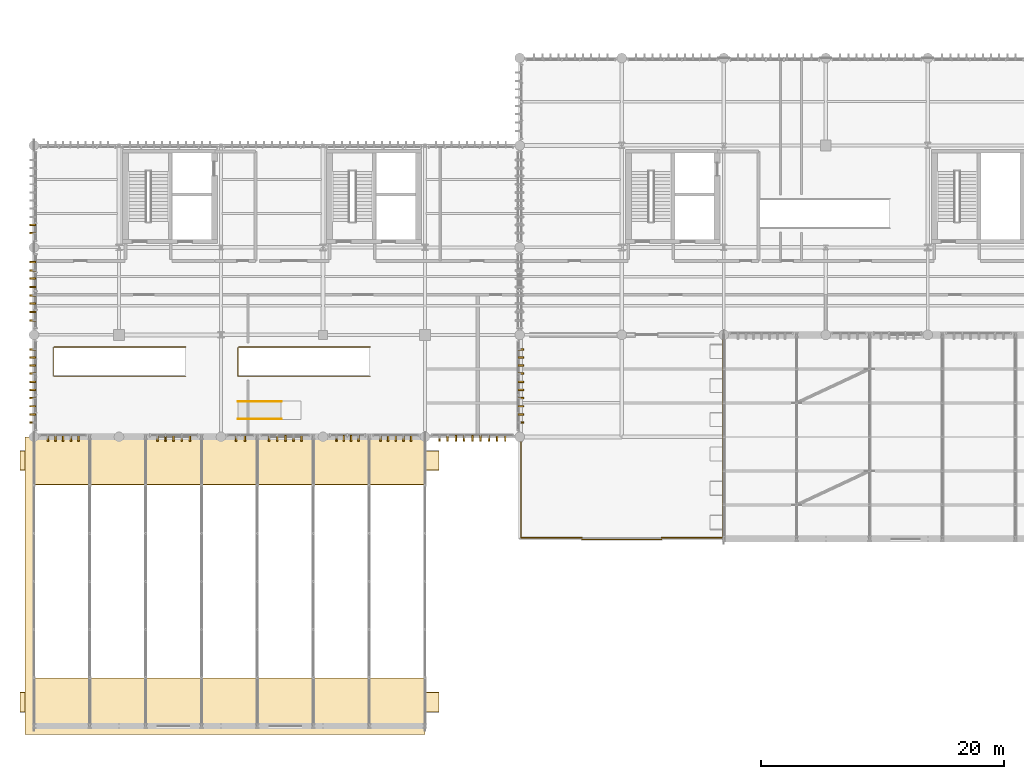
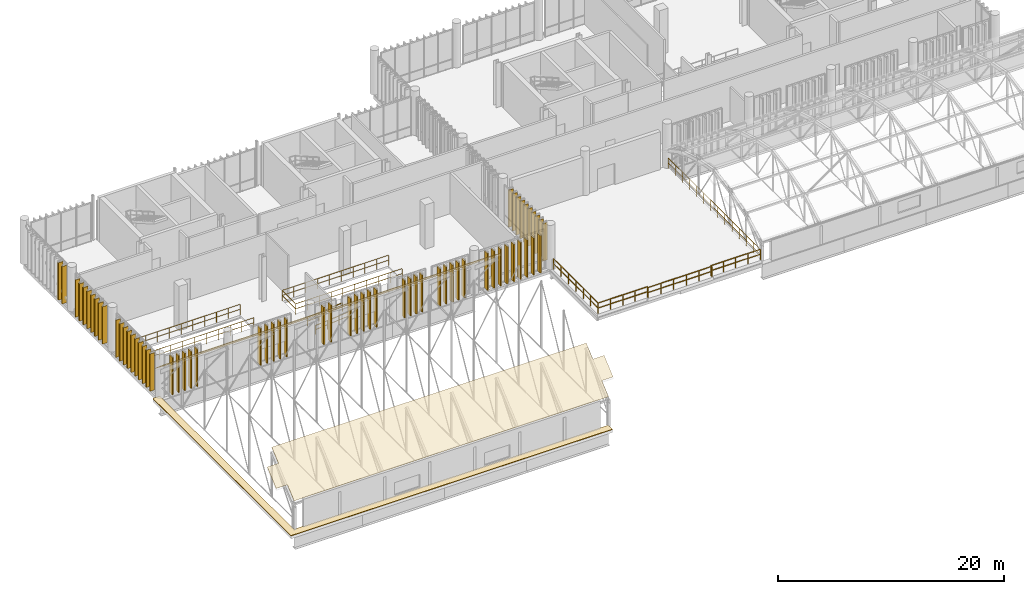
# One storey, part 101 of 109: 68 coverings, 9 railings, 2 elements without a shape of their own.
"""IFC4 building model written with IfcOpenShell, lengths in metres."""

from ifc_helpers import new_model, si_unit, direction, frame, frame_2d, origin_with_axes, origin_2d_with_axis, place, context, subcontext, project, spatial, polyline, rectangle, circle, outline, extrude, material, type_object, element, aggregate, save


model = new_model("IFC4")

# Units and contexts
model_context = context("Model", 3, precision=1e-05, world=origin_with_axes(), true_north=direction((0.0, 1.0)))
body_context = subcontext(model_context, "Body", "Model", "MODEL_VIEW")
ifc_project = project(units=[si_unit("LENGTHUNIT", "METRE"), si_unit("AREAUNIT", "SQUARE_METRE"), si_unit("VOLUMEUNIT", "CUBIC_METRE"), si_unit("PLANEANGLEUNIT", "RADIAN"), si_unit("MASSUNIT", "GRAM", prefix="KILO"), si_unit("THERMODYNAMICTEMPERATUREUNIT", "KELVIN")], contexts=[model_context])

# Site, building, storey
site_placement = place(None, origin_with_axes())
site = spatial("IfcSite", under=ifc_project, at=site_placement, CompositionType="ELEMENT")
building_placement = place(site_placement, origin_with_axes())
building = spatial("IfcBuilding", under=site, at=building_placement, Name="Montbau Bow Law Courts", CompositionType="ELEMENT")
storey_placement = place(building_placement, frame((0.0, 0.0, 10.8), z_axis=(0.0, 0.0, 1.0), x_axis=(1.0, 0.0, 0.0)))
storey = spatial("IfcBuildingStorey", under=building, at=storey_placement, Name="L02", CompositionType="ELEMENT", Elevation=10.8)

# Coverings
ifc_material_1 = material(Name="Freeze-Thaw Glazed Terracotta-Red Ceramic Vertical Louvre", Category="masonry")
covering_type_1 = type_object("IfcCoveringType", Name="CV-LVR-RED", PredefinedType="CLADDING", material=ifc_material_1)
for number, where, z_axis, x_axis, name in (
    (1, (7.946, 30.73, 10.8), (-1.0, 0.0, 0.0), (0.0, -1.0, 0.0), "CLV-L02-0310:cov_0355"),
    (2, (8.578, 30.73, 10.8), (-1.0, 0.0, 0.0), (0.0, -1.0, 0.0), "CLV-L02-0311:cov_0356"),
    (3, (9.209, 30.73, 10.8), (-1.0, 0.0, 0.0), (0.0, -1.0, 0.0), "CLV-L02-0312:cov_0357"),
    (4, (9.841, 30.73, 10.8), (-1.0, 0.0, 0.0), (0.0, -1.0, 0.0), "CLV-L02-0313:cov_0358"),
    (5, (10.472, 30.73, 10.8), (-1.0, 0.0, 0.0), (0.0, -1.0, 0.0), "CLV-L02-0314:cov_0359"),
    (6, (16.964, 30.73, 10.8), (-1.0, 0.0, 0.0), (0.0, -1.0, 0.0), "CLV-L02-0315:cov_0360"),
    (7, (17.632, 30.73, 10.8), (-1.0, 0.0, 0.0), (0.0, -1.0, 0.0), "CLV-L02-0316:cov_0361"),
    (8, (18.3, 30.73, 10.8), (-1.0, 0.0, 0.0), (0.0, -1.0, 0.0), "CLV-L02-0317:cov_0362"),
    (9, (18.968, 30.73, 10.8), (-1.0, 0.0, 0.0), (0.0, -1.0, 0.0), "CLV-L02-0318:cov_0363"),
    (10, (19.636, 30.73, 10.8), (-1.0, 0.0, 0.0), (0.0, -1.0, 0.0), "CLV-L02-0319:cov_0364"),
    (11, (23.445, 30.73, 10.8), (-1.0, 0.0, 0.0), (0.0, -1.0, 0.0), "CLV-L02-0320:cov_0365"),
    (12, (24.174, 30.73, 10.8), (-1.0, 0.0, 0.0), (0.0, -1.0, 0.0), "CLV-L02-0321:cov_0366"),
    (13, (26.164, 30.73, 10.8), (-1.0, 0.0, 0.0), (0.0, -1.0, 0.0), "CLV-L02-0322:cov_0367"),
    (14, (26.832, 30.73, 10.8), (-1.0, 0.0, 0.0), (0.0, -1.0, 0.0), "CLV-L02-0323:cov_0368"),
    (15, (27.5, 30.73, 10.8), (-1.0, 0.0, 0.0), (0.0, -1.0, 0.0), "CLV-L02-0324:cov_0369"),
    (16, (28.168, 30.73, 10.8), (-1.0, 0.0, 0.0), (0.0, -1.0, 0.0), "CLV-L02-0325:cov_0370"),
    (17, (28.836, 30.73, 10.8), (-1.0, 0.0, 0.0), (0.0, -1.0, 0.0), "CLV-L02-0326:cov_0371"),
    (18, (31.713, 30.73, 10.8), (-1.0, 0.0, 0.0), (0.0, -1.0, 0.0), "CLV-L02-0327:cov_0372"),
    (19, (32.31, 30.73, 10.8), (-1.0, 0.0, 0.0), (0.0, -1.0, 0.0), "CLV-L02-0328:cov_0373"),
    (20, (32.908, 30.73, 10.8), (-1.0, 0.0, 0.0), (0.0, -1.0, 0.0), "CLV-L02-0329:cov_0374"),
    (21, (33.505, 30.73, 10.8), (-1.0, 0.0, 0.0), (0.0, -1.0, 0.0), "CLV-L02-0330:cov_0375"),
    (22, (35.328, 30.73, 10.8), (-1.0, 0.0, 0.0), (0.0, -1.0, 0.0), "CLV-L02-0331:cov_0376"),
    (23, (35.96, 30.73, 10.8), (-1.0, 0.0, 0.0), (0.0, -1.0, 0.0), "CLV-L02-0332:cov_0377"),
    (24, (36.591, 30.73, 10.8), (-1.0, 0.0, 0.0), (0.0, -1.0, 0.0), "CLV-L02-0333:cov_0378"),
    (25, (37.222, 30.73, 10.8), (-1.0, 0.0, 0.0), (0.0, -1.0, 0.0), "CLV-L02-0334:cov_0379"),
    (26, (37.854, 30.73, 10.8), (-1.0, 0.0, 0.0), (0.0, -1.0, 0.0), "CLV-L02-0335:cov_0380"),
    (27, (40.192, 30.73, 10.8), (-1.0, 0.0, 0.0), (0.0, -1.0, 0.0), "CLV-L02-0336:cov_0381"),
    (28, (40.869, 30.73, 10.8), (-1.0, 0.0, 0.0), (0.0, -1.0, 0.0), "CLV-L02-0337:cov_0382"),
    (29, (41.546, 30.73, 10.8), (-1.0, 0.0, 0.0), (0.0, -1.0, 0.0), "CLV-L02-0338:cov_0383"),
    (30, (42.223, 30.73, 10.8), (-1.0, 0.0, 0.0), (0.0, -1.0, 0.0), "CLV-L02-0339:cov_0384"),
    (31, (42.9, 30.73, 10.8), (-1.0, 0.0, 0.0), (0.0, -1.0, 0.0), "CLV-L02-0340:cov_0385"),
    (32, (43.577, 30.73, 10.8), (-1.0, 0.0, 0.0), (0.0, -1.0, 0.0), "CLV-L02-0341:cov_0386"),
    (33, (44.254, 30.73, 10.8), (-1.0, 0.0, 0.0), (0.0, -1.0, 0.0), "CLV-L02-0342:cov_0387"),
    (34, (44.931, 30.73, 10.8), (-1.0, 0.0, 0.0), (0.0, -1.0, 0.0), "CLV-L02-0343:cov_0388"),
    (35, (45.608, 30.73, 10.8), (-1.0, 0.0, 0.0), (0.0, -1.0, 0.0), "CLV-L02-0344:cov_0389"),
    (36, (6.93, 31.785, 10.8), (0.0, 1.0, 0.0), (-1.0, 0.0, 0.0), "CLV-L02-0397:cov_0442"),
    (37, (6.93, 32.455, 10.8), (0.0, 1.0, 0.0), (-1.0, 0.0, 0.0), "CLV-L02-0398:cov_0443"),
    (38, (6.93, 33.125, 10.8), (0.0, 1.0, 0.0), (-1.0, 0.0, 0.0), "CLV-L02-0399:cov_0444"),
    (39, (6.93, 33.795, 10.8), (0.0, 1.0, 0.0), (-1.0, 0.0, 0.0), "CLV-L02-0400:cov_0445"),
    (40, (6.93, 34.465, 10.8), (0.0, 1.0, 0.0), (-1.0, 0.0, 0.0), "CLV-L02-0401:cov_0446"),
    (41, (6.93, 35.135, 10.8), (0.0, 1.0, 0.0), (-1.0, 0.0, 0.0), "CLV-L02-0402:cov_0447"),
    (42, (6.93, 35.805, 10.8), (0.0, 1.0, 0.0), (-1.0, 0.0, 0.0), "CLV-L02-0403:cov_0448"),
    (43, (6.93, 36.475, 10.8), (0.0, 1.0, 0.0), (-1.0, 0.0, 0.0), "CLV-L02-0404:cov_0449"),
    (44, (6.93, 37.145, 10.8), (0.0, 1.0, 0.0), (-1.0, 0.0, 0.0), "CLV-L02-0405:cov_0450"),
    (45, (6.93, 37.815, 10.8), (0.0, 1.0, 0.0), (-1.0, 0.0, 0.0), "CLV-L02-0406:cov_0451"),
    (46, (6.93, 40.201, 10.8), (0.0, 1.0, 0.0), (-1.0, 0.0, 0.0), "CLV-L02-0407:cov_0452"),
    (47, (6.93, 40.886, 10.8), (0.0, 1.0, 0.0), (-1.0, 0.0, 0.0), "CLV-L02-0408:cov_0453"),
    (48, (6.93, 41.572, 10.8), (0.0, 1.0, 0.0), (-1.0, 0.0, 0.0), "CLV-L02-0409:cov_0454"),
    (49, (6.93, 42.257, 10.8), (0.0, 1.0, 0.0), (-1.0, 0.0, 0.0), "CLV-L02-0410:cov_0455"),
    (50, (6.93, 42.943, 10.8), (0.0, 1.0, 0.0), (-1.0, 0.0, 0.0), "CLV-L02-0411:cov_0456"),
    (51, (6.93, 43.628, 10.8), (0.0, 1.0, 0.0), (-1.0, 0.0, 0.0), "CLV-L02-0412:cov_0457"),
    (52, (6.93, 44.314, 10.8), (0.0, 1.0, 0.0), (-1.0, 0.0, 0.0), "CLV-L02-0413:cov_0458"),
    (53, (6.93, 44.999, 10.8), (0.0, 1.0, 0.0), (-1.0, 0.0, 0.0), "CLV-L02-0414:cov_0459"),
    (54, (6.93, 47.385, 10.8), (0.0, 1.0, 0.0), (-1.0, 0.0, 0.0), "CLV-L02-0415:cov_0460"),
    (55, (6.93, 48.055, 10.8), (0.0, 1.0, 0.0), (-1.0, 0.0, 0.0), "CLV-L02-0416:cov_0461"),
    (56, (46.67, 31.785, 10.8), (0.0, -1.0, 0.0), (1.0, 0.0, 0.0), "CLV-L02-0425:cov_0470"),
    (57, (46.67, 32.455, 10.8), (0.0, -1.0, 0.0), (1.0, 0.0, 0.0), "CLV-L02-0426:cov_0471"),
    (58, (46.67, 33.125, 10.8), (0.0, -1.0, 0.0), (1.0, 0.0, 0.0), "CLV-L02-0427:cov_0472"),
    (59, (46.67, 33.795, 10.8), (0.0, -1.0, 0.0), (1.0, 0.0, 0.0), "CLV-L02-0428:cov_0473"),
    (60, (46.67, 34.465, 10.8), (0.0, -1.0, 0.0), (1.0, 0.0, 0.0), "CLV-L02-0429:cov_0474"),
    (61, (46.67, 35.135, 10.8), (0.0, -1.0, 0.0), (1.0, 0.0, 0.0), "CLV-L02-0430:cov_0475"),
    (62, (46.67, 35.805, 10.8), (0.0, -1.0, 0.0), (1.0, 0.0, 0.0), "CLV-L02-0431:cov_0476"),
    (63, (46.67, 36.475, 10.8), (0.0, -1.0, 0.0), (1.0, 0.0, 0.0), "CLV-L02-0432:cov_0477"),
    (64, (46.67, 37.145, 10.8), (0.0, -1.0, 0.0), (1.0, 0.0, 0.0), "CLV-L02-0433:cov_0478"),
    (65, (46.67, 37.815, 10.8), (0.0, -1.0, 0.0), (1.0, 0.0, 0.0), "CLV-L02-0434:cov_0479"),
):
    element("IfcCovering", number, at=place(None, frame(where, z_axis=z_axis, x_axis=x_axis)), inside=storey, type_object=covering_type_1, Name=name, PredefinedType="CLADDING", context=body_context, shape_type="SweptSolid", body=[
        extrude(rectangle(XDim=0.48, YDim=4.04, at=frame_2d((0.24, 2.02), x_axis=(1.0, 0.0))), frame((0.0, 0.0, -0.06), z_axis=(0.0, 0.0, 1.0), x_axis=(1.0, 0.0, 0.0)), (0.0, 0.0, 1.0), 0.12),
    ])

# Roof, covering
ifc_material_2 = material(Name="Insulated Inverted Membrane Roof", Category="other")
roof_type_1 = type_object("IfcRoofType", Name="RF-FL-01", PredefinedType="FLAT_ROOF", material=ifc_material_2)
roof_1_placement = place(None, frame((6.08, 6.08, 10.8), z_axis=(0.0, 0.0, 1.0), x_axis=(1.0, 0.0, 0.0)))
roof_1 = element("IfcRoof", 66, at=roof_1_placement, inside=storey, type_object=roof_type_1, Name="ROOF-LID-L02-14:rof_0019", PredefinedType="FLAT_ROOF")
ifc_material_3 = material(Name="Standing-Seam Pre-Weathered Zinc Roofing Membrane", Category="steel")
covering_type_2 = type_object("IfcCoveringType", Name="CV-ROF-01", PredefinedType="ROOFING", material=ifc_material_3)
covering_1_placement = place(None, frame((0.0, 0.0, 10.8), z_axis=(0.0, 0.0, 1.0), x_axis=(1.0, 0.0, 0.0)))
covering_1 = element("IfcCovering", 67, at=covering_1_placement, type_object=covering_type_2, Name="CVR-LID-L02-14:cov_0019", PredefinedType="ROOFING", context=body_context, shape_type="SweptSolid", body=[
    extrude(outline(polyline([(6.796, 30.6), (6.796, 6.796), (39.0, 6.796), (39.0, 6.08), (6.08, 6.08), (6.08, 30.6), (6.796, 30.6)])), origin_with_axes(), (0.0, 0.0, 1.0), 0.06),
])
aggregate(roof_1, [covering_1])

# Roof, coverings
ifc_material_4 = material(Name="Standing-Seam Zinc Insulated Barrel-Vault Roof", Category="steel")
roof_type_2 = type_object("IfcRoofType", Name="RF-BV-01", PredefinedType="BARREL_ROOF", material=ifc_material_4)
roof_2_placement = place(None, frame((6.8, 6.8, 14.0), z_axis=(0.0, 0.0, 1.0), x_axis=(1.0, 0.0, 0.0)))
roof_2 = element("IfcRoof", 68, at=roof_2_placement, inside=storey, type_object=roof_type_2, Name="BV-ROOF-V1:rof_0028", PredefinedType="BARREL_ROOF")
covering_2_placement = place(None, frame((0.0, 0.0, 8.08563), z_axis=(0.0, -0.651603107, 0.758560078), x_axis=(1.0, 0.0, 0.0)))
covering_2 = element("IfcCovering", 69, at=covering_2_placement, type_object=covering_type_2, Name="BV-CVR-V1-F1:cov_0028", PredefinedType="ROOFING", context=body_context, shape_type="SweptSolid", body=[
    extrude(outline(polyline([(6.8, 8.964353), (39.0, 8.964353), (39.0, 10.533114), (40.15, 10.533114), (40.15, 12.625236), (39.0, 12.625236), (39.0, 14.193998), (6.8, 14.193998), (6.8, 12.625236), (5.65, 12.625236), (5.65, 10.533114), (6.8, 10.533114), (6.8, 8.964353)])), origin_with_axes(), (0.0, 0.0, 1.0), 0.05),
])
covering_3_placement = place(None, frame((0.0, 0.0, 40.213089), z_axis=(0.0, 0.651603107, 0.758560078), x_axis=(1.0, 0.0, 0.0)))
covering_3 = element("IfcCovering", 70, at=covering_3_placement, type_object=covering_type_2, Name="BV-CVR-V1-F6:cov_0033", PredefinedType="ROOFING", context=body_context, shape_type="SweptSolid", body=[
    extrude(outline(polyline([(6.8, 35.109942), (39.0, 35.109942), (39.0, 36.678703), (40.15, 36.678703), (40.15, 38.770825), (39.0, 38.770825), (39.0, 40.339587), (6.8, 40.339587), (6.8, 38.770825), (5.65, 38.770825), (5.65, 36.678703), (6.8, 36.678703), (6.8, 35.109942)])), origin_with_axes(), (0.0, 0.0, 1.0), 0.05),
])
aggregate(roof_2, [covering_2, covering_3])

# Railings
ifc_material_5 = material(Name="Laminated Glass and Bronze Gallery Balustrade", Category="glass")
railing_type_1 = type_object("IfcRailingType", Name="RL-BAL-1120", PredefinedType="BALUSTRADE", material=ifc_material_5)
railing_1_placement = place(None, origin_with_axes())
element("IfcRailing", 71, at=railing_1_placement, inside=storey, type_object=railing_type_1, Name="GRD-OPEN-ST-TRL-01:rlg_0283", PredefinedType="BALUSTRADE", context=body_context, shape_type="SweptSolid", body=[
    extrude(circle(Radius=0.025, at=origin_2d_with_axis()), frame((34.5, 35.6, 11.922), z_axis=(-1.0, 0.0, 0.0), x_axis=(0.0, 0.0, 1.0)), (0.0, 0.0, 1.0), 10.8675),
    extrude(circle(Radius=0.022500000000000003, at=origin_2d_with_axis()), frame((34.5, 35.6, 11.3824), z_axis=(-1.0, 0.0, 0.0), x_axis=(0.0, 0.0, 1.0)), (0.0, 0.0, 1.0), 10.8675),
    extrude(circle(Radius=0.022500000000000003, at=origin_2d_with_axis()), frame((34.5, 35.6, 10.8), z_axis=(0.0, 0.0, 1.0), x_axis=(1.0, 0.0, 0.0)), (0.0, 0.0, 1.0), 1.0925),
    extrude(circle(Radius=0.022500000000000003, at=origin_2d_with_axis()), frame((33.288889, 35.6, 10.8), z_axis=(0.0, 0.0, 1.0), x_axis=(1.0, 0.0, 0.0)), (0.0, 0.0, 1.0), 1.0925),
    extrude(circle(Radius=0.022500000000000003, at=origin_2d_with_axis()), frame((32.077778, 35.6, 10.8), z_axis=(0.0, 0.0, 1.0), x_axis=(1.0, 0.0, 0.0)), (0.0, 0.0, 1.0), 1.0925),
    extrude(circle(Radius=0.022500000000000003, at=origin_2d_with_axis()), frame((30.866667, 35.6, 10.8), z_axis=(0.0, 0.0, 1.0), x_axis=(1.0, 0.0, 0.0)), (0.0, 0.0, 1.0), 1.0925),
    extrude(circle(Radius=0.022500000000000003, at=origin_2d_with_axis()), frame((29.655556, 35.6, 10.8), z_axis=(0.0, 0.0, 1.0), x_axis=(1.0, 0.0, 0.0)), (0.0, 0.0, 1.0), 1.0925),
    extrude(circle(Radius=0.022500000000000003, at=origin_2d_with_axis()), frame((28.444444, 35.6, 10.8), z_axis=(0.0, 0.0, 1.0), x_axis=(1.0, 0.0, 0.0)), (0.0, 0.0, 1.0), 1.0925),
    extrude(circle(Radius=0.022500000000000003, at=origin_2d_with_axis()), frame((27.233333, 35.6, 10.8), z_axis=(0.0, 0.0, 1.0), x_axis=(1.0, 0.0, 0.0)), (0.0, 0.0, 1.0), 1.0925),
    extrude(circle(Radius=0.022500000000000003, at=origin_2d_with_axis()), frame((26.022222, 35.6, 10.8), z_axis=(0.0, 0.0, 1.0), x_axis=(1.0, 0.0, 0.0)), (0.0, 0.0, 1.0), 1.0925),
    extrude(circle(Radius=0.022500000000000003, at=origin_2d_with_axis()), frame((24.811111, 35.6, 10.8), z_axis=(0.0, 0.0, 1.0), x_axis=(1.0, 0.0, 0.0)), (0.0, 0.0, 1.0), 1.0925),
    extrude(circle(Radius=0.022500000000000003, at=origin_2d_with_axis()), frame((23.6, 35.6, 10.8), z_axis=(0.0, 0.0, 1.0), x_axis=(1.0, 0.0, 0.0)), (0.0, 0.0, 1.0), 1.0925),
    extrude(circle(Radius=0.025, at=origin_2d_with_axis()), frame((23.6, 35.6325, 11.922), z_axis=(0.0, 1.0, 0.0), x_axis=(0.0, 0.0, 1.0)), (0.0, 0.0, 1.0), 2.335),
    extrude(circle(Radius=0.022500000000000003, at=origin_2d_with_axis()), frame((23.6, 35.6325, 11.3824), z_axis=(0.0, 1.0, 0.0), x_axis=(0.0, 0.0, 1.0)), (0.0, 0.0, 1.0), 2.335),
    extrude(circle(Radius=0.022500000000000003, at=origin_2d_with_axis()), frame((23.6, 38.0, 10.8), z_axis=(0.0, 0.0, 1.0), x_axis=(1.0, 0.0, 0.0)), (0.0, 0.0, 1.0), 1.0925),
    extrude(circle(Radius=0.025, at=origin_2d_with_axis()), frame((23.6325, 38.0, 11.922), z_axis=(1.0, 0.0, 0.0), x_axis=(0.0, 0.0, 1.0)), (0.0, 0.0, 1.0), 10.8675),
    extrude(circle(Radius=0.022500000000000003, at=origin_2d_with_axis()), frame((23.6325, 38.0, 11.3824), z_axis=(1.0, 0.0, 0.0), x_axis=(0.0, 0.0, 1.0)), (0.0, 0.0, 1.0), 10.8675),
    extrude(circle(Radius=0.022500000000000003, at=origin_2d_with_axis()), frame((24.811111, 38.0, 10.8), z_axis=(0.0, 0.0, 1.0), x_axis=(1.0, 0.0, 0.0)), (0.0, 0.0, 1.0), 1.0925),
    extrude(circle(Radius=0.022500000000000003, at=origin_2d_with_axis()), frame((26.022222, 38.0, 10.8), z_axis=(0.0, 0.0, 1.0), x_axis=(1.0, 0.0, 0.0)), (0.0, 0.0, 1.0), 1.0925),
    extrude(circle(Radius=0.022500000000000003, at=origin_2d_with_axis()), frame((27.233333, 38.0, 10.8), z_axis=(0.0, 0.0, 1.0), x_axis=(1.0, 0.0, 0.0)), (0.0, 0.0, 1.0), 1.0925),
    extrude(circle(Radius=0.022500000000000003, at=origin_2d_with_axis()), frame((28.444444, 38.0, 10.8), z_axis=(0.0, 0.0, 1.0), x_axis=(1.0, 0.0, 0.0)), (0.0, 0.0, 1.0), 1.0925),
    extrude(circle(Radius=0.022500000000000003, at=origin_2d_with_axis()), frame((29.655556, 38.0, 10.8), z_axis=(0.0, 0.0, 1.0), x_axis=(1.0, 0.0, 0.0)), (0.0, 0.0, 1.0), 1.0925),
    extrude(circle(Radius=0.022500000000000003, at=origin_2d_with_axis()), frame((30.866667, 38.0, 10.8), z_axis=(0.0, 0.0, 1.0), x_axis=(1.0, 0.0, 0.0)), (0.0, 0.0, 1.0), 1.0925),
    extrude(circle(Radius=0.022500000000000003, at=origin_2d_with_axis()), frame((32.077778, 38.0, 10.8), z_axis=(0.0, 0.0, 1.0), x_axis=(1.0, 0.0, 0.0)), (0.0, 0.0, 1.0), 1.0925),
    extrude(circle(Radius=0.022500000000000003, at=origin_2d_with_axis()), frame((33.288889, 38.0, 10.8), z_axis=(0.0, 0.0, 1.0), x_axis=(1.0, 0.0, 0.0)), (0.0, 0.0, 1.0), 1.0925),
    extrude(circle(Radius=0.022500000000000003, at=origin_2d_with_axis()), frame((34.5, 38.0, 10.8), z_axis=(0.0, 0.0, 1.0), x_axis=(1.0, 0.0, 0.0)), (0.0, 0.0, 1.0), 1.0925),
])
railing_2_placement = place(None, origin_with_axes())
element("IfcRailing", 72, at=railing_2_placement, inside=storey, type_object=railing_type_1, Name="GRD-OPEN-ST-TRL-03:rlg_0289", PredefinedType="BALUSTRADE", context=body_context, shape_type="SweptSolid", body=[
    extrude(circle(Radius=0.025, at=origin_2d_with_axis()), frame((19.3, 35.6, 11.922), z_axis=(-1.0, 0.0, 0.0), x_axis=(0.0, 0.0, 1.0)), (0.0, 0.0, 1.0), 10.8675),
    extrude(circle(Radius=0.022500000000000003, at=origin_2d_with_axis()), frame((19.3, 35.6, 11.3824), z_axis=(-1.0, 0.0, 0.0), x_axis=(0.0, 0.0, 1.0)), (0.0, 0.0, 1.0), 10.8675),
    extrude(circle(Radius=0.022500000000000003, at=origin_2d_with_axis()), frame((19.3, 35.6, 10.8), z_axis=(0.0, 0.0, 1.0), x_axis=(1.0, 0.0, 0.0)), (0.0, 0.0, 1.0), 1.0925),
    extrude(circle(Radius=0.022500000000000003, at=origin_2d_with_axis()), frame((18.088889, 35.6, 10.8), z_axis=(0.0, 0.0, 1.0), x_axis=(1.0, 0.0, 0.0)), (0.0, 0.0, 1.0), 1.0925),
    extrude(circle(Radius=0.022500000000000003, at=origin_2d_with_axis()), frame((16.877778, 35.6, 10.8), z_axis=(0.0, 0.0, 1.0), x_axis=(1.0, 0.0, 0.0)), (0.0, 0.0, 1.0), 1.0925),
    extrude(circle(Radius=0.022500000000000003, at=origin_2d_with_axis()), frame((15.666667, 35.6, 10.8), z_axis=(0.0, 0.0, 1.0), x_axis=(1.0, 0.0, 0.0)), (0.0, 0.0, 1.0), 1.0925),
    extrude(circle(Radius=0.022500000000000003, at=origin_2d_with_axis()), frame((14.455556, 35.6, 10.8), z_axis=(0.0, 0.0, 1.0), x_axis=(1.0, 0.0, 0.0)), (0.0, 0.0, 1.0), 1.0925),
    extrude(circle(Radius=0.022500000000000003, at=origin_2d_with_axis()), frame((13.244444, 35.6, 10.8), z_axis=(0.0, 0.0, 1.0), x_axis=(1.0, 0.0, 0.0)), (0.0, 0.0, 1.0), 1.0925),
    extrude(circle(Radius=0.022500000000000003, at=origin_2d_with_axis()), frame((12.033333, 35.6, 10.8), z_axis=(0.0, 0.0, 1.0), x_axis=(1.0, 0.0, 0.0)), (0.0, 0.0, 1.0), 1.0925),
    extrude(circle(Radius=0.022500000000000003, at=origin_2d_with_axis()), frame((10.822222, 35.6, 10.8), z_axis=(0.0, 0.0, 1.0), x_axis=(1.0, 0.0, 0.0)), (0.0, 0.0, 1.0), 1.0925),
    extrude(circle(Radius=0.022500000000000003, at=origin_2d_with_axis()), frame((9.611111, 35.6, 10.8), z_axis=(0.0, 0.0, 1.0), x_axis=(1.0, 0.0, 0.0)), (0.0, 0.0, 1.0), 1.0925),
    extrude(circle(Radius=0.022500000000000003, at=origin_2d_with_axis()), frame((8.4, 35.6, 10.8), z_axis=(0.0, 0.0, 1.0), x_axis=(1.0, 0.0, 0.0)), (0.0, 0.0, 1.0), 1.0925),
    extrude(circle(Radius=0.025, at=origin_2d_with_axis()), frame((8.4, 35.6325, 11.922), z_axis=(0.0, 1.0, 0.0), x_axis=(0.0, 0.0, 1.0)), (0.0, 0.0, 1.0), 2.335),
    extrude(circle(Radius=0.022500000000000003, at=origin_2d_with_axis()), frame((8.4, 35.6325, 11.3824), z_axis=(0.0, 1.0, 0.0), x_axis=(0.0, 0.0, 1.0)), (0.0, 0.0, 1.0), 2.335),
    extrude(circle(Radius=0.022500000000000003, at=origin_2d_with_axis()), frame((8.4, 38.0, 10.8), z_axis=(0.0, 0.0, 1.0), x_axis=(1.0, 0.0, 0.0)), (0.0, 0.0, 1.0), 1.0925),
    extrude(circle(Radius=0.025, at=origin_2d_with_axis()), frame((8.4325, 38.0, 11.922), z_axis=(1.0, 0.0, 0.0), x_axis=(0.0, 0.0, 1.0)), (0.0, 0.0, 1.0), 10.8675),
    extrude(circle(Radius=0.022500000000000003, at=origin_2d_with_axis()), frame((8.4325, 38.0, 11.3824), z_axis=(1.0, 0.0, 0.0), x_axis=(0.0, 0.0, 1.0)), (0.0, 0.0, 1.0), 10.8675),
    extrude(circle(Radius=0.022500000000000003, at=origin_2d_with_axis()), frame((9.611111, 38.0, 10.8), z_axis=(0.0, 0.0, 1.0), x_axis=(1.0, 0.0, 0.0)), (0.0, 0.0, 1.0), 1.0925),
    extrude(circle(Radius=0.022500000000000003, at=origin_2d_with_axis()), frame((10.822222, 38.0, 10.8), z_axis=(0.0, 0.0, 1.0), x_axis=(1.0, 0.0, 0.0)), (0.0, 0.0, 1.0), 1.0925),
    extrude(circle(Radius=0.022500000000000003, at=origin_2d_with_axis()), frame((12.033333, 38.0, 10.8), z_axis=(0.0, 0.0, 1.0), x_axis=(1.0, 0.0, 0.0)), (0.0, 0.0, 1.0), 1.0925),
    extrude(circle(Radius=0.022500000000000003, at=origin_2d_with_axis()), frame((13.244444, 38.0, 10.8), z_axis=(0.0, 0.0, 1.0), x_axis=(1.0, 0.0, 0.0)), (0.0, 0.0, 1.0), 1.0925),
    extrude(circle(Radius=0.022500000000000003, at=origin_2d_with_axis()), frame((14.455556, 38.0, 10.8), z_axis=(0.0, 0.0, 1.0), x_axis=(1.0, 0.0, 0.0)), (0.0, 0.0, 1.0), 1.0925),
    extrude(circle(Radius=0.022500000000000003, at=origin_2d_with_axis()), frame((15.666667, 38.0, 10.8), z_axis=(0.0, 0.0, 1.0), x_axis=(1.0, 0.0, 0.0)), (0.0, 0.0, 1.0), 1.0925),
    extrude(circle(Radius=0.022500000000000003, at=origin_2d_with_axis()), frame((16.877778, 38.0, 10.8), z_axis=(0.0, 0.0, 1.0), x_axis=(1.0, 0.0, 0.0)), (0.0, 0.0, 1.0), 1.0925),
    extrude(circle(Radius=0.022500000000000003, at=origin_2d_with_axis()), frame((18.088889, 38.0, 10.8), z_axis=(0.0, 0.0, 1.0), x_axis=(1.0, 0.0, 0.0)), (0.0, 0.0, 1.0), 1.0925),
    extrude(circle(Radius=0.022500000000000003, at=origin_2d_with_axis()), frame((19.3, 38.0, 10.8), z_axis=(0.0, 0.0, 1.0), x_axis=(1.0, 0.0, 0.0)), (0.0, 0.0, 1.0), 1.0925),
])
ifc_material_6 = material(Name="Brushed Stainless Steel AISI 316L Guardrail", Category="steel")
railing_type_2 = type_object("IfcRailingType", Name="RL-GRD-1120", PredefinedType="GUARDRAIL", material=ifc_material_6)
railing_3_placement = place(None, origin_with_axes())
element("IfcRailing", 73, at=railing_3_placement, inside=storey, type_object=railing_type_2, Name="GRD-TER-L02-W-1:rlg_0001", PredefinedType="GUARDRAIL", context=body_context, shape_type="SweptSolid", body=[
    extrude(circle(Radius=0.025, at=origin_2d_with_axis()), frame((46.9, 22.3, 11.922), z_axis=(0.0, 1.0, 0.0), x_axis=(0.0, 0.0, 1.0)), (0.0, 0.0, 1.0), 7.893),
    extrude(circle(Radius=0.022500000000000003, at=origin_2d_with_axis()), frame((46.9, 22.3, 11.3824), z_axis=(0.0, 1.0, 0.0), x_axis=(0.0, 0.0, 1.0)), (0.0, 0.0, 1.0), 7.893),
    extrude(circle(Radius=0.022500000000000003, at=origin_2d_with_axis()), frame((46.9, 22.3, 10.8), z_axis=(0.0, 0.0, 1.0), x_axis=(1.0, 0.0, 0.0)), (0.0, 0.0, 1.0), 1.0925),
    extrude(circle(Radius=0.022500000000000003, at=origin_2d_with_axis()), frame((46.9, 23.6155, 10.8), z_axis=(0.0, 0.0, 1.0), x_axis=(1.0, 0.0, 0.0)), (0.0, 0.0, 1.0), 1.0925),
    extrude(circle(Radius=0.022500000000000003, at=origin_2d_with_axis()), frame((46.9, 24.931, 10.8), z_axis=(0.0, 0.0, 1.0), x_axis=(1.0, 0.0, 0.0)), (0.0, 0.0, 1.0), 1.0925),
    extrude(circle(Radius=0.022500000000000003, at=origin_2d_with_axis()), frame((46.9, 26.2465, 10.8), z_axis=(0.0, 0.0, 1.0), x_axis=(1.0, 0.0, 0.0)), (0.0, 0.0, 1.0), 1.0925),
    extrude(circle(Radius=0.022500000000000003, at=origin_2d_with_axis()), frame((46.9, 27.562, 10.8), z_axis=(0.0, 0.0, 1.0), x_axis=(1.0, 0.0, 0.0)), (0.0, 0.0, 1.0), 1.0925),
    extrude(circle(Radius=0.022500000000000003, at=origin_2d_with_axis()), frame((46.9, 28.8775, 10.8), z_axis=(0.0, 0.0, 1.0), x_axis=(1.0, 0.0, 0.0)), (0.0, 0.0, 1.0), 1.0925),
    extrude(circle(Radius=0.022500000000000003, at=origin_2d_with_axis()), frame((46.9, 30.193, 10.8), z_axis=(0.0, 0.0, 1.0), x_axis=(1.0, 0.0, 0.0)), (0.0, 0.0, 1.0), 1.0925),
])
railing_4_placement = place(None, origin_with_axes())
element("IfcRailing", 74, at=railing_4_placement, inside=storey, type_object=railing_type_2, Name="GRD-TER-L02-W-3:rlg_0002", PredefinedType="GUARDRAIL", context=body_context, shape_type="SweptSolid", body=[
    extrude(circle(Radius=0.025, at=origin_2d_with_axis()), frame((63.5, 38.58, 11.922), z_axis=(0.0, -1.0, 0.0), x_axis=(0.0, 0.0, 1.0)), (0.0, 0.0, 1.0), 16.28),
    extrude(circle(Radius=0.022500000000000003, at=origin_2d_with_axis()), frame((63.5, 38.58, 11.3824), z_axis=(0.0, -1.0, 0.0), x_axis=(0.0, 0.0, 1.0)), (0.0, 0.0, 1.0), 16.28),
    extrude(circle(Radius=0.022500000000000003, at=origin_2d_with_axis()), frame((63.5, 38.58, 10.8), z_axis=(0.0, 0.0, 1.0), x_axis=(1.0, 0.0, 0.0)), (0.0, 0.0, 1.0), 1.0925),
    extrude(circle(Radius=0.022500000000000003, at=origin_2d_with_axis()), frame((63.5, 37.327692, 10.8), z_axis=(0.0, 0.0, 1.0), x_axis=(1.0, 0.0, 0.0)), (0.0, 0.0, 1.0), 1.0925),
    extrude(circle(Radius=0.022500000000000003, at=origin_2d_with_axis()), frame((63.5, 36.075385, 10.8), z_axis=(0.0, 0.0, 1.0), x_axis=(1.0, 0.0, 0.0)), (0.0, 0.0, 1.0), 1.0925),
    extrude(circle(Radius=0.022500000000000003, at=origin_2d_with_axis()), frame((63.5, 34.823077, 10.8), z_axis=(0.0, 0.0, 1.0), x_axis=(1.0, 0.0, 0.0)), (0.0, 0.0, 1.0), 1.0925),
    extrude(circle(Radius=0.022500000000000003, at=origin_2d_with_axis()), frame((63.5, 33.570769, 10.8), z_axis=(0.0, 0.0, 1.0), x_axis=(1.0, 0.0, 0.0)), (0.0, 0.0, 1.0), 1.0925),
    extrude(circle(Radius=0.022500000000000003, at=origin_2d_with_axis()), frame((63.5, 32.318462, 10.8), z_axis=(0.0, 0.0, 1.0), x_axis=(1.0, 0.0, 0.0)), (0.0, 0.0, 1.0), 1.0925),
    extrude(circle(Radius=0.022500000000000003, at=origin_2d_with_axis()), frame((63.5, 31.066154, 10.8), z_axis=(0.0, 0.0, 1.0), x_axis=(1.0, 0.0, 0.0)), (0.0, 0.0, 1.0), 1.0925),
    extrude(circle(Radius=0.022500000000000003, at=origin_2d_with_axis()), frame((63.5, 29.813846, 10.8), z_axis=(0.0, 0.0, 1.0), x_axis=(1.0, 0.0, 0.0)), (0.0, 0.0, 1.0), 1.0925),
    extrude(circle(Radius=0.022500000000000003, at=origin_2d_with_axis()), frame((63.5, 28.561538, 10.8), z_axis=(0.0, 0.0, 1.0), x_axis=(1.0, 0.0, 0.0)), (0.0, 0.0, 1.0), 1.0925),
    extrude(circle(Radius=0.022500000000000003, at=origin_2d_with_axis()), frame((63.5, 27.309231, 10.8), z_axis=(0.0, 0.0, 1.0), x_axis=(1.0, 0.0, 0.0)), (0.0, 0.0, 1.0), 1.0925),
    extrude(circle(Radius=0.022500000000000003, at=origin_2d_with_axis()), frame((63.5, 26.056923, 10.8), z_axis=(0.0, 0.0, 1.0), x_axis=(1.0, 0.0, 0.0)), (0.0, 0.0, 1.0), 1.0925),
    extrude(circle(Radius=0.022500000000000003, at=origin_2d_with_axis()), frame((63.5, 24.804615, 10.8), z_axis=(0.0, 0.0, 1.0), x_axis=(1.0, 0.0, 0.0)), (0.0, 0.0, 1.0), 1.0925),
    extrude(circle(Radius=0.022500000000000003, at=origin_2d_with_axis()), frame((63.5, 23.552308, 10.8), z_axis=(0.0, 0.0, 1.0), x_axis=(1.0, 0.0, 0.0)), (0.0, 0.0, 1.0), 1.0925),
    extrude(circle(Radius=0.022500000000000003, at=origin_2d_with_axis()), frame((63.5, 22.3, 10.8), z_axis=(0.0, 0.0, 1.0), x_axis=(1.0, 0.0, 0.0)), (0.0, 0.0, 1.0), 1.0925),
])
railing_5_placement = place(None, origin_with_axes())
element("IfcRailing", 75, at=railing_5_placement, inside=storey, type_object=railing_type_2, Name="GRD-TER-L02-W-4:rlg_0003", PredefinedType="GUARDRAIL", context=body_context, shape_type="SweptSolid", body=[
    extrude(circle(Radius=0.025, at=origin_2d_with_axis()), frame((63.5, 22.3, 11.922), z_axis=(-1.0, 0.0, 0.0), x_axis=(0.0, 0.0, 1.0)), (0.0, 0.0, 1.0), 5.04),
    extrude(circle(Radius=0.022500000000000003, at=origin_2d_with_axis()), frame((63.5, 22.3, 11.3824), z_axis=(-1.0, 0.0, 0.0), x_axis=(0.0, 0.0, 1.0)), (0.0, 0.0, 1.0), 5.04),
    extrude(circle(Radius=0.022500000000000003, at=origin_2d_with_axis()), frame((63.5, 22.3, 10.8), z_axis=(0.0, 0.0, 1.0), x_axis=(1.0, 0.0, 0.0)), (0.0, 0.0, 1.0), 1.0925),
    extrude(circle(Radius=0.022500000000000003, at=origin_2d_with_axis()), frame((62.24, 22.3, 10.8), z_axis=(0.0, 0.0, 1.0), x_axis=(1.0, 0.0, 0.0)), (0.0, 0.0, 1.0), 1.0925),
    extrude(circle(Radius=0.022500000000000003, at=origin_2d_with_axis()), frame((60.98, 22.3, 10.8), z_axis=(0.0, 0.0, 1.0), x_axis=(1.0, 0.0, 0.0)), (0.0, 0.0, 1.0), 1.0925),
    extrude(circle(Radius=0.022500000000000003, at=origin_2d_with_axis()), frame((59.72, 22.3, 10.8), z_axis=(0.0, 0.0, 1.0), x_axis=(1.0, 0.0, 0.0)), (0.0, 0.0, 1.0), 1.0925),
    extrude(circle(Radius=0.022500000000000003, at=origin_2d_with_axis()), frame((58.46, 22.3, 10.8), z_axis=(0.0, 0.0, 1.0), x_axis=(1.0, 0.0, 0.0)), (0.0, 0.0, 1.0), 1.0925),
])
railing_6_placement = place(None, origin_with_axes())
element("IfcRailing", 76, at=railing_6_placement, inside=storey, type_object=railing_type_2, Name="GRD-TER-L02-W-6:rlg_0004", PredefinedType="GUARDRAIL", context=body_context, shape_type="SweptSolid", body=[
    extrude(circle(Radius=0.025, at=origin_2d_with_axis()), frame((58.46, 22.16, 11.922), z_axis=(-1.0, 0.0, 0.0), x_axis=(0.0, 0.0, 1.0)), (0.0, 0.0, 1.0), 6.52),
    extrude(circle(Radius=0.022500000000000003, at=origin_2d_with_axis()), frame((58.46, 22.16, 11.3824), z_axis=(-1.0, 0.0, 0.0), x_axis=(0.0, 0.0, 1.0)), (0.0, 0.0, 1.0), 6.52),
    extrude(circle(Radius=0.022500000000000003, at=origin_2d_with_axis()), frame((58.46, 22.16, 10.8), z_axis=(0.0, 0.0, 1.0), x_axis=(1.0, 0.0, 0.0)), (0.0, 0.0, 1.0), 1.0925),
    extrude(circle(Radius=0.022500000000000003, at=origin_2d_with_axis()), frame((57.156, 22.16, 10.8), z_axis=(0.0, 0.0, 1.0), x_axis=(1.0, 0.0, 0.0)), (0.0, 0.0, 1.0), 1.0925),
    extrude(circle(Radius=0.022500000000000003, at=origin_2d_with_axis()), frame((55.852, 22.16, 10.8), z_axis=(0.0, 0.0, 1.0), x_axis=(1.0, 0.0, 0.0)), (0.0, 0.0, 1.0), 1.0925),
    extrude(circle(Radius=0.022500000000000003, at=origin_2d_with_axis()), frame((54.548, 22.16, 10.8), z_axis=(0.0, 0.0, 1.0), x_axis=(1.0, 0.0, 0.0)), (0.0, 0.0, 1.0), 1.0925),
    extrude(circle(Radius=0.022500000000000003, at=origin_2d_with_axis()), frame((53.244, 22.16, 10.8), z_axis=(0.0, 0.0, 1.0), x_axis=(1.0, 0.0, 0.0)), (0.0, 0.0, 1.0), 1.0925),
    extrude(circle(Radius=0.022500000000000003, at=origin_2d_with_axis()), frame((51.94, 22.16, 10.8), z_axis=(0.0, 0.0, 1.0), x_axis=(1.0, 0.0, 0.0)), (0.0, 0.0, 1.0), 1.0925),
])
railing_7_placement = place(None, origin_with_axes())
element("IfcRailing", 77, at=railing_7_placement, inside=storey, type_object=railing_type_2, Name="GRD-TER-L02-W-8:rlg_0005", PredefinedType="GUARDRAIL", context=body_context, shape_type="SweptSolid", body=[
    extrude(circle(Radius=0.025, at=origin_2d_with_axis()), frame((51.94, 22.3, 11.922), z_axis=(-1.0, 0.0, 0.0), x_axis=(0.0, 0.0, 1.0)), (0.0, 0.0, 1.0), 5.04),
    extrude(circle(Radius=0.022500000000000003, at=origin_2d_with_axis()), frame((51.94, 22.3, 11.3824), z_axis=(-1.0, 0.0, 0.0), x_axis=(0.0, 0.0, 1.0)), (0.0, 0.0, 1.0), 5.04),
    extrude(circle(Radius=0.022500000000000003, at=origin_2d_with_axis()), frame((51.94, 22.3, 10.8), z_axis=(0.0, 0.0, 1.0), x_axis=(1.0, 0.0, 0.0)), (0.0, 0.0, 1.0), 1.0925),
    extrude(circle(Radius=0.022500000000000003, at=origin_2d_with_axis()), frame((50.68, 22.3, 10.8), z_axis=(0.0, 0.0, 1.0), x_axis=(1.0, 0.0, 0.0)), (0.0, 0.0, 1.0), 1.0925),
    extrude(circle(Radius=0.022500000000000003, at=origin_2d_with_axis()), frame((49.42, 22.3, 10.8), z_axis=(0.0, 0.0, 1.0), x_axis=(1.0, 0.0, 0.0)), (0.0, 0.0, 1.0), 1.0925),
    extrude(circle(Radius=0.022500000000000003, at=origin_2d_with_axis()), frame((48.16, 22.3, 10.8), z_axis=(0.0, 0.0, 1.0), x_axis=(1.0, 0.0, 0.0)), (0.0, 0.0, 1.0), 1.0925),
    extrude(circle(Radius=0.022500000000000003, at=origin_2d_with_axis()), frame((46.9, 22.3, 10.8), z_axis=(0.0, 0.0, 1.0), x_axis=(1.0, 0.0, 0.0)), (0.0, 0.0, 1.0), 1.0925),
])
ifc_material_7 = material(Name="White-Oak and Stainless Continuous Stair Handrail", Category="steel")
railing_type_3 = type_object("IfcRailingType", Name="RL-HND-0920", PredefinedType="HANDRAIL", material=ifc_material_7)
railing_8_placement = place(None, origin_with_axes())
element("IfcRailing", 78, at=railing_8_placement, inside=storey, type_object=railing_type_3, Name="HR-R-BF3-L:rlg_0303", PredefinedType="HANDRAIL", context=body_context, shape_type="SweptSolid", body=[
    extrude(circle(Radius=0.021, at=origin_2d_with_axis()), frame((23.6, 32.065, 11.722), z_axis=(0.996545758, 0.0, 0.08304548), x_axis=(-0.08304548, 0.0, 0.996545758)), (0.0, 0.0, 1.0), 3.612478),
    extrude(circle(Radius=0.0189, at=origin_2d_with_axis()), frame((23.6, 32.065, 11.2784), z_axis=(0.996545758, 0.0, 0.08304548), x_axis=(-0.08304548, 0.0, 0.996545758)), (0.0, 0.0, 1.0), 3.612478),
    extrude(circle(Radius=0.0189, at=origin_2d_with_axis()), frame((23.6, 32.065, 10.8), z_axis=(0.0, 0.0, 1.0), x_axis=(1.0, 0.0, 0.0)), (0.0, 0.0, 1.0), 0.8969),
    extrude(circle(Radius=0.0189, at=origin_2d_with_axis()), frame((24.8, 32.065, 10.9), z_axis=(0.0, 0.0, 1.0), x_axis=(1.0, 0.0, 0.0)), (0.0, 0.0, 1.0), 0.8969),
    extrude(circle(Radius=0.0189, at=origin_2d_with_axis()), frame((26.0, 32.065, 11.0), z_axis=(0.0, 0.0, 1.0), x_axis=(1.0, 0.0, 0.0)), (0.0, 0.0, 1.0), 0.8969),
    extrude(circle(Radius=0.0189, at=origin_2d_with_axis()), frame((27.2, 32.065, 11.1), z_axis=(0.0, 0.0, 1.0), x_axis=(1.0, 0.0, 0.0)), (0.0, 0.0, 1.0), 0.8969),
])
railing_9_placement = place(None, origin_with_axes())
element("IfcRailing", 79, at=railing_9_placement, inside=storey, type_object=railing_type_3, Name="HR-R-BF3-R:rlg_0304", PredefinedType="HANDRAIL", context=body_context, shape_type="SweptSolid", body=[
    extrude(circle(Radius=0.021, at=origin_2d_with_axis()), frame((23.6, 33.535, 11.722), z_axis=(0.996545758, 0.0, 0.08304548), x_axis=(-0.08304548, 0.0, 0.996545758)), (0.0, 0.0, 1.0), 3.612478),
    extrude(circle(Radius=0.0189, at=origin_2d_with_axis()), frame((23.6, 33.535, 11.2784), z_axis=(0.996545758, 0.0, 0.08304548), x_axis=(-0.08304548, 0.0, 0.996545758)), (0.0, 0.0, 1.0), 3.612478),
    extrude(circle(Radius=0.0189, at=origin_2d_with_axis()), frame((23.6, 33.535, 10.8), z_axis=(0.0, 0.0, 1.0), x_axis=(1.0, 0.0, 0.0)), (0.0, 0.0, 1.0), 0.8969),
    extrude(circle(Radius=0.0189, at=origin_2d_with_axis()), frame((24.8, 33.535, 10.9), z_axis=(0.0, 0.0, 1.0), x_axis=(1.0, 0.0, 0.0)), (0.0, 0.0, 1.0), 0.8969),
    extrude(circle(Radius=0.0189, at=origin_2d_with_axis()), frame((26.0, 33.535, 11.0), z_axis=(0.0, 0.0, 1.0), x_axis=(1.0, 0.0, 0.0)), (0.0, 0.0, 1.0), 0.8969),
    extrude(circle(Radius=0.0189, at=origin_2d_with_axis()), frame((27.2, 33.535, 11.1), z_axis=(0.0, 0.0, 1.0), x_axis=(1.0, 0.0, 0.0)), (0.0, 0.0, 1.0), 0.8969),
])

save(model, "model.ifc")
